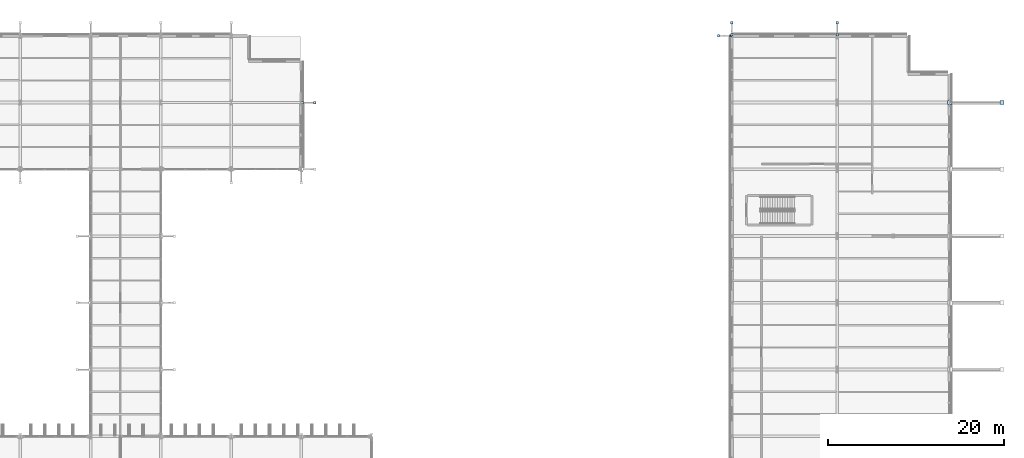
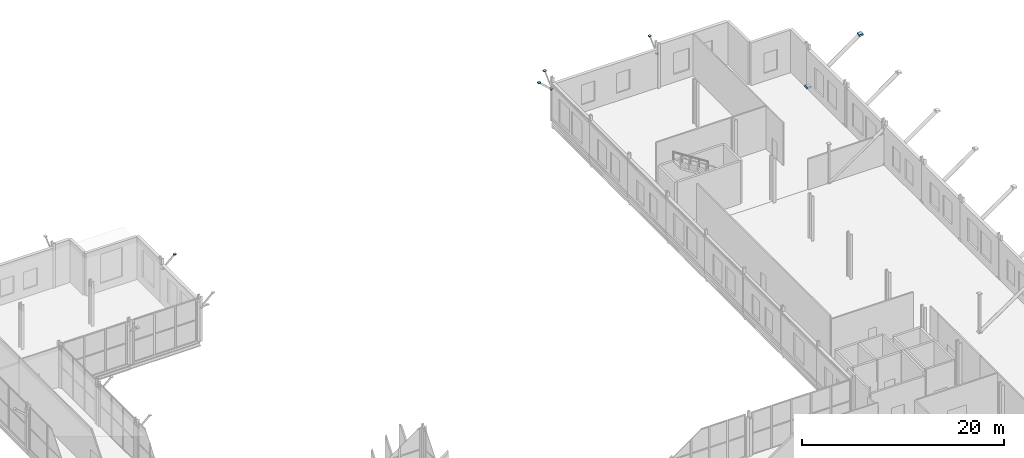
# One storey, part 114 of 147: 10 plates.
"""IFC4 building model written with IfcOpenShell, lengths in metres."""

import ifcopenshell
import ifcopenshell.guid

model = None  # the IFC model being written
_history = None  # IfcOwnerHistory: only IFC2X3 demands one
_inside = {}  # id of a spatial element -> (the spatial element, [elements in it])
_under = {}  # id of a project, library or spatial element -> (it, [spatial elements below it])
_declared = {}  # id of a project -> (the project, [libraries it declares])
_typed = {}  # id of a type object -> (the type object, [elements of that type])
_made_of = {}  # id of a material, layer set ... -> (it, [elements and type objects made of it])


def new_model(schema):
    """Start an empty IFC model of exactly this schema.

    Asked for "IFC4X3", IfcOpenShell would pick the latest addendum, in which some entities
    have other attributes; the version numbers below select the first issue.
    IFC2X3 requires an IfcOwnerHistory on every rooted entity: one is made here for all.
    """
    global model, _history
    if schema == "IFC4X3":
        model = ifcopenshell.file(schema_version=(4, 3, 0, 0))
    else:
        model = ifcopenshell.file(schema=schema)
    _inside.clear()
    _under.clear()
    _declared.clear()
    _typed.clear()
    _made_of.clear()
    _history = None
    if model.schema == "IFC2X3":
        org = make("IfcOrganization", Name="unknown")
        user = make(
            "IfcPersonAndOrganization",
            ThePerson=make("IfcPerson", FamilyName="unknown"),
            TheOrganization=org,
        )
        app = make(
            "IfcApplication",
            ApplicationDeveloper=org,
            Version="unknown",
            ApplicationFullName="unknown",
            ApplicationIdentifier="unknown",
        )
        _history = make(
            "IfcOwnerHistory",
            OwningUser=user,
            OwningApplication=app,
            ChangeAction="ADDED",
            CreationDate=0,
        )
    return model


def make(cls, **values):
    """One entity of the class cls with the attributes given. An attribute that is None is left unset."""
    return model.create_entity(
        cls, **{name: value for name, value in values.items() if value is not None}
    )


def rooted(cls, **values):
    """An entity with a GlobalId (a new one), such as an element, a storey or a relation."""
    return make(cls, GlobalId=ifcopenshell.guid.new(), OwnerHistory=_history, **values)


def si_unit(unit_type, name, prefix=None):
    """IfcSIUnit, for example si_unit("LENGTHUNIT", "METRE", prefix="MILLI")."""
    return make("IfcSIUnit", UnitType=unit_type, Prefix=prefix, Name=name)


def assignment(units):
    """IfcUnitAssignment: the units of a project."""
    return None if units is None else make("IfcUnitAssignment", Units=units)


def point(xyz):
    """IfcCartesianPoint."""
    return None if xyz is None else make("IfcCartesianPoint", Coordinates=xyz)


def direction(xyz):
    """IfcDirection."""
    return None if xyz is None else make("IfcDirection", DirectionRatios=xyz)


def frame(location, z_axis=None, x_axis=None):
    """IfcAxis2Placement3D, a coordinate frame: its origin and axes. An axis left out is left unset."""
    return make(
        "IfcAxis2Placement3D",
        Location=point(location),
        Axis=direction(z_axis),
        RefDirection=direction(x_axis),
    )


def frame_2d(location, x_axis=None):
    """IfcAxis2Placement2D, a coordinate frame in the plane: its origin and x axis."""
    return make(
        "IfcAxis2Placement2D", Location=point(location), RefDirection=direction(x_axis)
    )


def origin():
    """The frame at (0, 0, 0) with its axes left unset."""
    return frame((0.0, 0.0, 0.0))


def origin_2d():
    """The frame at (0, 0) in the plane with its x axis left unset."""
    return frame_2d((0.0, 0.0))


def place(relative_to, where):
    """IfcLocalPlacement: puts the frame where relative to a parent placement (None: the world)."""
    return make(
        "IfcLocalPlacement", PlacementRelTo=relative_to, RelativePlacement=where
    )


def context(
    kind, dimensions, precision=None, world=None, true_north=None, identifier=None
):
    """IfcGeometricRepresentationContext, for example the 3D "Model" context."""
    return make(
        "IfcGeometricRepresentationContext",
        ContextIdentifier=identifier,
        ContextType=kind,
        CoordinateSpaceDimension=dimensions,
        Precision=precision,
        WorldCoordinateSystem=world,
        TrueNorth=true_north,
    )


def subcontext(parent, identifier, kind, view, scale=None):
    """IfcGeometricRepresentationSubContext, for example "Body" below "Model"."""
    return make(
        "IfcGeometricRepresentationSubContext",
        ContextIdentifier=identifier,
        ContextType=kind,
        ParentContext=parent,
        TargetScale=scale,
        TargetView=view,
    )


def project(units=None, contexts=None):
    """IfcProject with its units and contexts."""
    return rooted(
        "IfcProject",
        Name="project",
        RepresentationContexts=contexts,
        UnitsInContext=assignment(units),
    )


def spatial(cls, under=None, at=None, **own):
    """A site, building, storey or space (cls), placed at a placement, below another one or the project."""
    s = rooted(cls, ObjectPlacement=at, **own)
    if under is not None:
        _under.setdefault(under.id(), (under, []))[1].append(s)
    return s


def profile(cls, at=None, kind="AREA", **sizes):
    """A parametric profile (cls). Its sizes go by their IFC names, for example OverallWidth=200.0."""
    return make(cls, ProfileType=kind, Position=at, **sizes)


def rectangle(**sizes):
    """IfcRectangleProfileDef."""
    return profile("IfcRectangleProfileDef", **sizes)


def extrude(swept, where, along, depth):
    """IfcExtrudedAreaSolid: the profile swept, set in the frame where, extruded along a direction by depth."""
    return make(
        "IfcExtrudedAreaSolid",
        SweptArea=swept,
        Position=where,
        ExtrudedDirection=direction(along),
        Depth=depth,
    )


def shape(context_of_items, identifier, shape_type, items):
    """IfcShapeRepresentation: the items that make up one representation, for example the "Body"."""
    return make(
        "IfcShapeRepresentation",
        ContextOfItems=context_of_items,
        RepresentationIdentifier=identifier,
        RepresentationType=shape_type,
        Items=items,
    )


def material(Name=None, Category=None):
    """IfcMaterial."""
    return make("IfcMaterial", Name=Name, Category=Category)


def layer(
    of_material, thickness, ventilated=None, Name=None, Category=None, Priority=None
):
    """IfcMaterialLayer: one layer of a wall or slab, of a material (None: an air gap)."""
    return make(
        "IfcMaterialLayer",
        Material=of_material,
        LayerThickness=thickness,
        IsVentilated=ventilated,
        Name=Name,
        Category=Category,
        Priority=Priority,
    )


def layer_set(layers, Name=None):
    """IfcMaterialLayerSet."""
    return make("IfcMaterialLayerSet", MaterialLayers=layers, LayerSetName=Name)


def made_of(thing, what):
    """Note that an element or type object is made of a material, layer set ...; save() writes the relation."""
    if what is not None:
        _made_of.setdefault(what.id(), (what, []))[1].append(thing)
    return thing


def type_object(cls, material=None, **own):
    """A type object (cls), such as IfcWallType, which elements share."""
    return made_of(rooted(cls, **own), material)


def element(
    cls,
    number,
    at=None,
    inside=None,
    cuts=None,
    type_object=None,
    material=None,
    context=None,
    identifier="Body",
    shape_type=None,
    held_by="IfcProductDefinitionShape",
    body=None,
    shapes=None,
    **own,
):
    """One element of the class cls, such as IfcWall. Its Tag is "e" and its number.

    at: its placement. inside: the storey or other place that contains it. cuts: it is an
    opening in that element (IfcRelVoidsElement). A single representation is given by context,
    identifier, shape_type and body (its items); several are given by shapes. held_by: the class
    of the entity that holds the representations. save() writes the other relations.
    """
    e = rooted(cls, Tag="e%d" % number, ObjectPlacement=at, **own)
    if body is not None:
        shapes = [shape(context, identifier, shape_type, body)]
    if shapes is not None:
        e.Representation = make(held_by, Representations=shapes)
    if inside is not None:
        _inside.setdefault(inside.id(), (inside, []))[1].append(e)
    if cuts is not None:
        rooted(
            "IfcRelVoidsElement", RelatingBuildingElement=cuts, RelatedOpeningElement=e
        )
    if type_object is not None:
        _typed.setdefault(type_object.id(), (type_object, []))[1].append(e)
    return made_of(e, material)


def aggregate(whole, parts):
    """IfcRelAggregates: a whole, such as a stair, and the parts it consists of."""
    return rooted("IfcRelAggregates", RelatingObject=whole, RelatedObjects=parts)


def save(model, path):
    """Write the relations noted so far, then the file.

    IfcRelAggregates (storeys below a building ...), IfcRelContainedInSpatialStructure (elements
    in a storey), IfcRelDefinesByType, IfcRelAssociatesMaterial and IfcRelDeclares: one each for
    every whole, place, type object, material and project.
    """
    for whole, parts in _under.values():
        aggregate(whole, parts)
    for where, things in _inside.values():
        rooted(
            "IfcRelContainedInSpatialStructure",
            RelatedElements=things,
            RelatingStructure=where,
        )
    for kind, things in _typed.values():
        rooted("IfcRelDefinesByType", RelatedObjects=things, RelatingType=kind)
    for what, things in _made_of.values():
        rooted("IfcRelAssociatesMaterial", RelatedObjects=things, RelatingMaterial=what)
    for by, libraries in _declared.values():
        rooted("IfcRelDeclares", RelatingContext=by, RelatedDefinitions=libraries)
    model.write(path)


model = new_model("IFC4")

# Units and contexts
model_context = context("Model", 3, precision=1e-05, world=origin(), true_north=direction((0.0, 1.0)))
body_context = subcontext(model_context, "Body", "Model", "MODEL_VIEW")
ifc_project = project(units=[si_unit("LENGTHUNIT", "METRE"), si_unit("AREAUNIT", "SQUARE_METRE"), si_unit("VOLUMEUNIT", "CUBIC_METRE"), si_unit("PLANEANGLEUNIT", "RADIAN"), si_unit("MASSUNIT", "GRAM", prefix="KILO")], contexts=[model_context])

# Site, building, storey
site_placement = place(None, origin())
site = spatial("IfcSite", under=ifc_project, at=site_placement, CompositionType="ELEMENT")
building_placement = place(site_placement, origin())
building = spatial("IfcBuilding", under=site, at=building_placement, Name="Vekula Escarpment Museum", CompositionType="ELEMENT")
storey_placement = place(building_placement, frame((0.0, 0.0, 7.800048828125)))
storey = spatial("IfcBuildingStorey", under=building, at=storey_placement, Name="L02", CompositionType="ELEMENT", Elevation=7.800048828125)

# Plates
ifc_material_1 = material(Name="Steel S355", Category="steel")
ifc_layer_1 = layer(ifc_material_1, 0.01611328125)
ifc_layer_set_1 = layer_set([ifc_layer_1], Name="Steel S355")
plate_type_1 = type_object("IfcPlateType", Name="PL-CAP-16", PredefinedType="SHEET", material=ifc_layer_set_1)
for number, where, z_axis, x_axis, name in (
    (1, (118.11474609375, 128.39990234375, 3.89404296875), (0.0, 0.0, 1.0), (1.0, 0.0, 0.0), "Hollow section end cap CP-16"),
    (2, (119.50537109375, 128.39990234375, 5.163818359375), (0.0, 0.0, 1.0), (1.0, 0.0, 0.0), "Hollow section end cap CP-16"),
    (3, (166.88525390625, 136.0, 3.89404296875), (0.0, 0.0, 1.0), (1.0, 0.0, 0.0), "Hollow section end cap CP-16"),
    (4, (165.49462890625, 136.0, 5.163818359375), (0.0, 0.0, 1.0), (1.0, 0.0, 0.0), "Hollow section end cap CP-16"),
    (5, (167.0, 136.11474609375, 3.89404296875), (0.0, 0.0, 1.0), (1.0, 0.0, 0.0), "Hollow section end cap CP-16"),
    (6, (167.0, 137.50537109375, 5.163818359375), (0.0, 0.0, 1.0), (1.0, 0.0, 0.0), "Hollow section end cap CP-16"),
    (7, (179.0, 136.11474609375, 3.89404296875), (0.0, 0.0, 1.0), (1.0, 0.0, 0.0), "Hollow section end cap CP-16"),
    (8, (179.0, 137.50537109375, 5.163818359375), (0.0, 0.0, 1.0), (1.0, 0.0, 0.0), "Hollow section end cap CP-16"),
):
    element("IfcPlate", number, at=place(storey_placement, frame(where, z_axis=z_axis, x_axis=x_axis)), inside=storey, type_object=plate_type_1, Name=name, PredefinedType="SHEET", context=body_context, shape_type="SweptSolid", body=[
        extrude(rectangle(XDim=0.280029296875, YDim=0.280029296875, at=origin_2d()), origin(), (0.0, 0.0, 1.0), 0.10205078125),
    ])
ifc_material_2 = material(Name="Steel S355", Category="steel")
ifc_layer_2 = layer(ifc_material_2, 0.02392578125)
ifc_layer_set_2 = layer_set([ifc_layer_2], Name="Steel S355")
plate_type_2 = type_object("IfcPlateType", Name="PL-CAP-24", PredefinedType="SHEET", material=ifc_layer_set_2)
for number, where, z_axis, x_axis, name in (
    (9, (191.811279296875, 128.39990234375, 0.0361328125), (0.0, 0.0, 1.0), (1.0, 0.0, 0.0), "Hollow section end cap CP-24"),
    (10, (197.7587890625, 128.39990234375, 4.27880859375), (0.0, 0.0, 1.0), (1.0, 0.0, 0.0), "Hollow section end cap CP-24"),
):
    element("IfcPlate", number, at=place(storey_placement, frame(where, z_axis=z_axis, x_axis=x_axis)), inside=storey, type_object=plate_type_2, Name=name, PredefinedType="SHEET", context=body_context, shape_type="SweptSolid", body=[
        extrude(rectangle(XDim=0.47998046875, YDim=0.47998046875, at=origin_2d()), origin(), (0.0, 0.0, 1.0), 0.215087890625),
    ])

save(model, "model.ifc")
